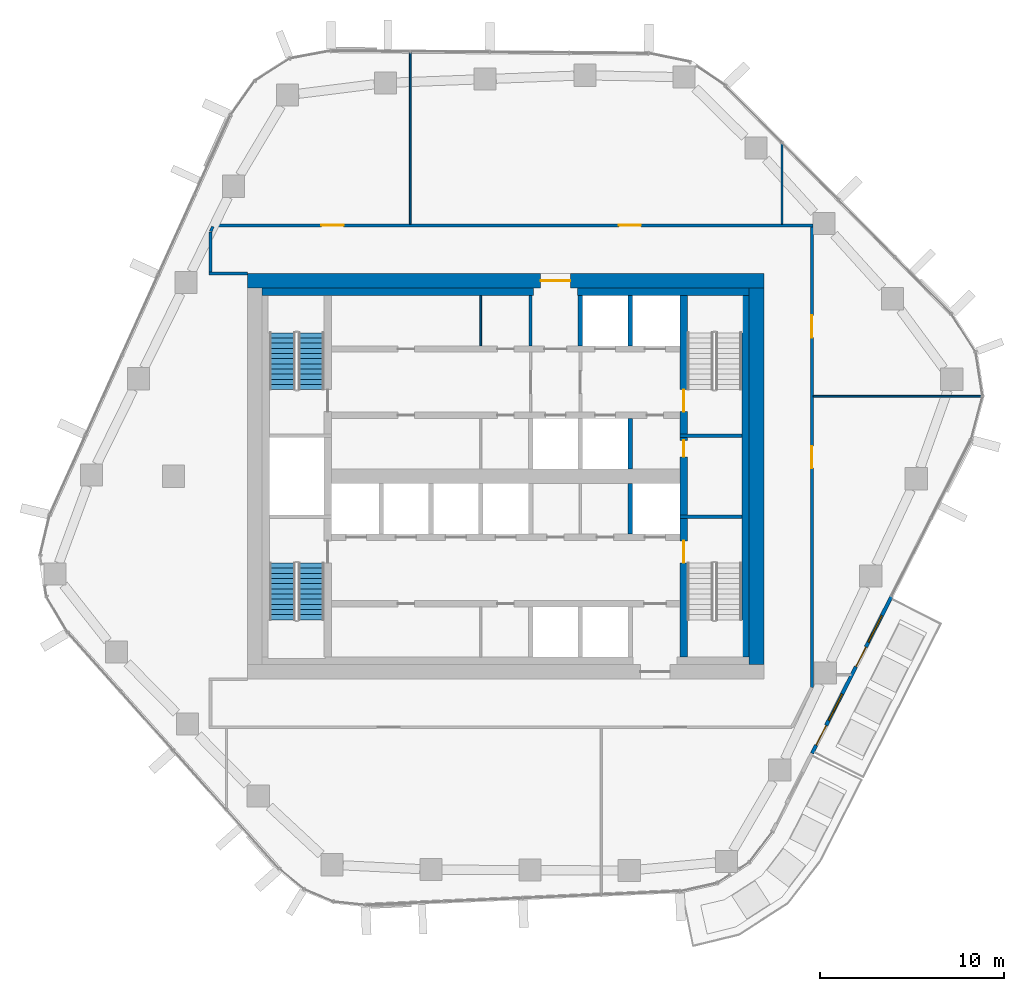
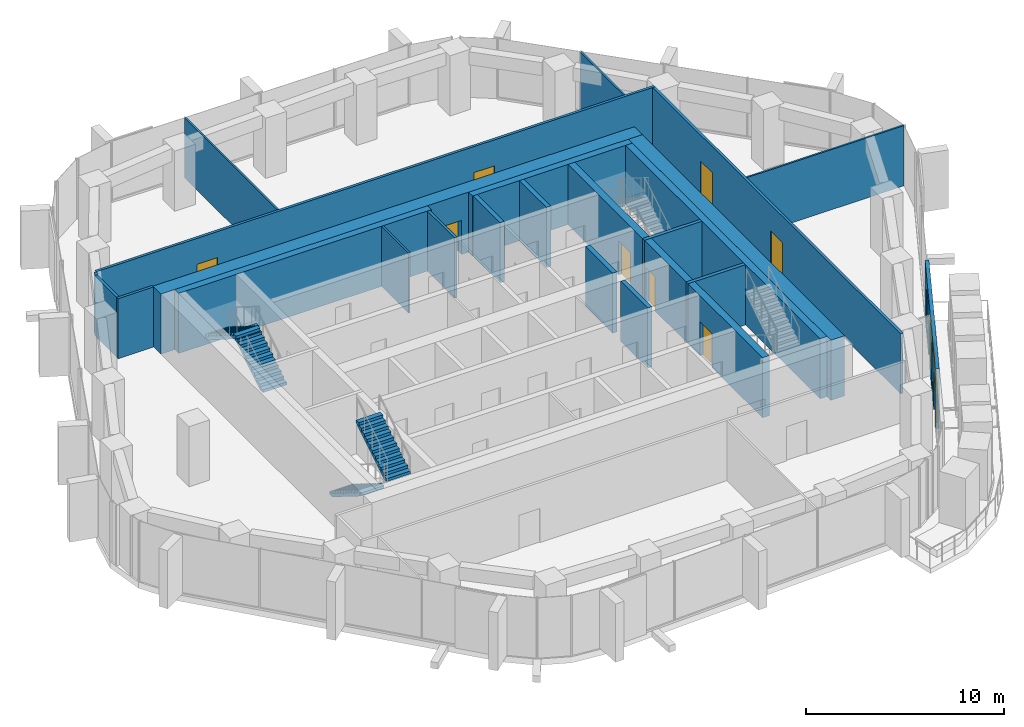
# One storey, part 12 of 17: 25 walls, 10 doors, 4 stair flights, 2 windows, 12 openings, 2 elements without a shape of their own.
"""IFC4 building model written with IfcOpenShell, lengths in metres."""

import ifcopenshell
import ifcopenshell.guid

model = None  # the IFC model being written
_history = None  # IfcOwnerHistory: only IFC2X3 demands one
_inside = {}  # id of a spatial element -> (the spatial element, [elements in it])
_under = {}  # id of a project, library or spatial element -> (it, [spatial elements below it])
_declared = {}  # id of a project -> (the project, [libraries it declares])
_typed = {}  # id of a type object -> (the type object, [elements of that type])
_made_of = {}  # id of a material, layer set ... -> (it, [elements and type objects made of it])


def new_model(schema):
    """Start an empty IFC model of exactly this schema.

    Asked for "IFC4X3", IfcOpenShell would pick the latest addendum, in which some entities
    have other attributes; the version numbers below select the first issue.
    IFC2X3 requires an IfcOwnerHistory on every rooted entity: one is made here for all.
    """
    global model, _history
    if schema == "IFC4X3":
        model = ifcopenshell.file(schema_version=(4, 3, 0, 0))
    else:
        model = ifcopenshell.file(schema=schema)
    _inside.clear()
    _under.clear()
    _declared.clear()
    _typed.clear()
    _made_of.clear()
    _history = None
    if model.schema == "IFC2X3":
        org = make("IfcOrganization", Name="unknown")
        user = make(
            "IfcPersonAndOrganization",
            ThePerson=make("IfcPerson", FamilyName="unknown"),
            TheOrganization=org,
        )
        app = make(
            "IfcApplication",
            ApplicationDeveloper=org,
            Version="unknown",
            ApplicationFullName="unknown",
            ApplicationIdentifier="unknown",
        )
        _history = make(
            "IfcOwnerHistory",
            OwningUser=user,
            OwningApplication=app,
            ChangeAction="ADDED",
            CreationDate=0,
        )
    return model


def make(cls, **values):
    """One entity of the class cls with the attributes given. An attribute that is None is left unset."""
    return model.create_entity(
        cls, **{name: value for name, value in values.items() if value is not None}
    )


def rooted(cls, **values):
    """An entity with a GlobalId (a new one), such as an element, a storey or a relation."""
    return make(cls, GlobalId=ifcopenshell.guid.new(), OwnerHistory=_history, **values)


def si_unit(unit_type, name, prefix=None):
    """IfcSIUnit, for example si_unit("LENGTHUNIT", "METRE", prefix="MILLI")."""
    return make("IfcSIUnit", UnitType=unit_type, Prefix=prefix, Name=name)


def assignment(units):
    """IfcUnitAssignment: the units of a project."""
    return None if units is None else make("IfcUnitAssignment", Units=units)


def point(xyz):
    """IfcCartesianPoint."""
    return None if xyz is None else make("IfcCartesianPoint", Coordinates=xyz)


def direction(xyz):
    """IfcDirection."""
    return None if xyz is None else make("IfcDirection", DirectionRatios=xyz)


def frame(location, z_axis=None, x_axis=None):
    """IfcAxis2Placement3D, a coordinate frame: its origin and axes. An axis left out is left unset."""
    return make(
        "IfcAxis2Placement3D",
        Location=point(location),
        Axis=direction(z_axis),
        RefDirection=direction(x_axis),
    )


def frame_2d(location, x_axis=None):
    """IfcAxis2Placement2D, a coordinate frame in the plane: its origin and x axis."""
    return make(
        "IfcAxis2Placement2D", Location=point(location), RefDirection=direction(x_axis)
    )


def origin():
    """The frame at (0, 0, 0) with its axes left unset."""
    return frame((0.0, 0.0, 0.0))


def place(relative_to, where):
    """IfcLocalPlacement: puts the frame where relative to a parent placement (None: the world)."""
    return make(
        "IfcLocalPlacement", PlacementRelTo=relative_to, RelativePlacement=where
    )


def context(
    kind, dimensions, precision=None, world=None, true_north=None, identifier=None
):
    """IfcGeometricRepresentationContext, for example the 3D "Model" context."""
    return make(
        "IfcGeometricRepresentationContext",
        ContextIdentifier=identifier,
        ContextType=kind,
        CoordinateSpaceDimension=dimensions,
        Precision=precision,
        WorldCoordinateSystem=world,
        TrueNorth=true_north,
    )


def subcontext(parent, identifier, kind, view, scale=None):
    """IfcGeometricRepresentationSubContext, for example "Body" below "Model"."""
    return make(
        "IfcGeometricRepresentationSubContext",
        ContextIdentifier=identifier,
        ContextType=kind,
        ParentContext=parent,
        TargetScale=scale,
        TargetView=view,
    )


def project(units=None, contexts=None):
    """IfcProject with its units and contexts."""
    return rooted(
        "IfcProject",
        Name="project",
        RepresentationContexts=contexts,
        UnitsInContext=assignment(units),
    )


def spatial(cls, under=None, at=None, **own):
    """A site, building, storey or space (cls), placed at a placement, below another one or the project."""
    s = rooted(cls, ObjectPlacement=at, **own)
    if under is not None:
        _under.setdefault(under.id(), (under, []))[1].append(s)
    return s


def polyline(points):
    """IfcPolyline through the points."""
    return make("IfcPolyline", Points=[point(p) for p in points])


def profile(cls, at=None, kind="AREA", **sizes):
    """A parametric profile (cls). Its sizes go by their IFC names, for example OverallWidth=200.0."""
    return make(cls, ProfileType=kind, Position=at, **sizes)


def rectangle(**sizes):
    """IfcRectangleProfileDef."""
    return profile("IfcRectangleProfileDef", **sizes)


def outline(outer, holes=None, kind="AREA"):
    """IfcArbitraryClosedProfileDef: a profile drawn as a closed curve; with holes, ...WithVoids."""
    if holes is None:
        return make("IfcArbitraryClosedProfileDef", ProfileType=kind, OuterCurve=outer)
    return make(
        "IfcArbitraryProfileDefWithVoids",
        ProfileType=kind,
        OuterCurve=outer,
        InnerCurves=holes,
    )


def extrude(swept, where, along, depth):
    """IfcExtrudedAreaSolid: the profile swept, set in the frame where, extruded along a direction by depth."""
    return make(
        "IfcExtrudedAreaSolid",
        SweptArea=swept,
        Position=where,
        ExtrudedDirection=direction(along),
        Depth=depth,
    )


def shape(context_of_items, identifier, shape_type, items):
    """IfcShapeRepresentation: the items that make up one representation, for example the "Body"."""
    return make(
        "IfcShapeRepresentation",
        ContextOfItems=context_of_items,
        RepresentationIdentifier=identifier,
        RepresentationType=shape_type,
        Items=items,
    )


def material(Name=None, Category=None):
    """IfcMaterial."""
    return make("IfcMaterial", Name=Name, Category=Category)


def layer(
    of_material, thickness, ventilated=None, Name=None, Category=None, Priority=None
):
    """IfcMaterialLayer: one layer of a wall or slab, of a material (None: an air gap)."""
    return make(
        "IfcMaterialLayer",
        Material=of_material,
        LayerThickness=thickness,
        IsVentilated=ventilated,
        Name=Name,
        Category=Category,
        Priority=Priority,
    )


def layer_set(layers, Name=None):
    """IfcMaterialLayerSet."""
    return make("IfcMaterialLayerSet", MaterialLayers=layers, LayerSetName=Name)


def made_of(thing, what):
    """Note that an element or type object is made of a material, layer set ...; save() writes the relation."""
    if what is not None:
        _made_of.setdefault(what.id(), (what, []))[1].append(thing)
    return thing


def type_object(cls, material=None, **own):
    """A type object (cls), such as IfcWallType, which elements share."""
    return made_of(rooted(cls, **own), material)


def element(
    cls,
    number,
    at=None,
    inside=None,
    cuts=None,
    type_object=None,
    material=None,
    context=None,
    identifier="Body",
    shape_type=None,
    held_by="IfcProductDefinitionShape",
    body=None,
    shapes=None,
    **own,
):
    """One element of the class cls, such as IfcWall. Its Tag is "e" and its number.

    at: its placement. inside: the storey or other place that contains it. cuts: it is an
    opening in that element (IfcRelVoidsElement). A single representation is given by context,
    identifier, shape_type and body (its items); several are given by shapes. held_by: the class
    of the entity that holds the representations. save() writes the other relations.
    """
    e = rooted(cls, Tag="e%d" % number, ObjectPlacement=at, **own)
    if body is not None:
        shapes = [shape(context, identifier, shape_type, body)]
    if shapes is not None:
        e.Representation = make(held_by, Representations=shapes)
    if inside is not None:
        _inside.setdefault(inside.id(), (inside, []))[1].append(e)
    if cuts is not None:
        rooted(
            "IfcRelVoidsElement", RelatingBuildingElement=cuts, RelatedOpeningElement=e
        )
    if type_object is not None:
        _typed.setdefault(type_object.id(), (type_object, []))[1].append(e)
    return made_of(e, material)


def fill(opening, filler):
    """IfcRelFillsElement: the door or window that sits in an opening."""
    return rooted(
        "IfcRelFillsElement",
        RelatingOpeningElement=opening,
        RelatedBuildingElement=filler,
    )


def aggregate(whole, parts):
    """IfcRelAggregates: a whole, such as a stair, and the parts it consists of."""
    return rooted("IfcRelAggregates", RelatingObject=whole, RelatedObjects=parts)


def save(model, path):
    """Write the relations noted so far, then the file.

    IfcRelAggregates (storeys below a building ...), IfcRelContainedInSpatialStructure (elements
    in a storey), IfcRelDefinesByType, IfcRelAssociatesMaterial and IfcRelDeclares: one each for
    every whole, place, type object, material and project.
    """
    for whole, parts in _under.values():
        aggregate(whole, parts)
    for where, things in _inside.values():
        rooted(
            "IfcRelContainedInSpatialStructure",
            RelatedElements=things,
            RelatingStructure=where,
        )
    for kind, things in _typed.values():
        rooted("IfcRelDefinesByType", RelatedObjects=things, RelatingType=kind)
    for what, things in _made_of.values():
        rooted("IfcRelAssociatesMaterial", RelatedObjects=things, RelatingMaterial=what)
    for by, libraries in _declared.values():
        rooted("IfcRelDeclares", RelatingContext=by, RelatedDefinitions=libraries)
    model.write(path)


model = new_model("IFC4")

# Units and contexts
model_context = context("Model", 3, precision=1e-05, world=origin(), true_north=direction((0.0, 1.0)))
body_context = subcontext(model_context, "Body", "Model", "MODEL_VIEW")
ifc_project = project(units=[si_unit("LENGTHUNIT", "METRE"), si_unit("AREAUNIT", "SQUARE_METRE"), si_unit("VOLUMEUNIT", "CUBIC_METRE"), si_unit("PLANEANGLEUNIT", "RADIAN"), si_unit("MASSUNIT", "GRAM", prefix="KILO")], contexts=[model_context])

# Site, building, storey
site_placement = place(None, origin())
site = spatial("IfcSite", under=ifc_project, at=site_placement, CompositionType="ELEMENT")
building_placement = place(site_placement, origin())
building = spatial("IfcBuilding", under=site, at=building_placement, Name="Dongbaek Canopy Tower", CompositionType="ELEMENT")
storey_placement = place(building_placement, frame((0.0, 0.0, 179.60009765625)))
storey = spatial("IfcBuildingStorey", under=building, at=storey_placement, Name="L39", CompositionType="ELEMENT", Elevation=179.60009765625)

# Wall, opening, door
ifc_material_1 = material(Name="Concrete C70/85", Category="concrete")
ifc_layer_1 = layer(ifc_material_1, 0.800048828125)
ifc_layer_set_1 = layer_set([ifc_layer_1], Name="Core outer wall 800 Concrete C70/85")
wall_type_1 = type_object("IfcWallType", Name="Core outer wall 800 Concrete C70/85", PredefinedType="SHEAR", material=ifc_layer_set_1)
wall_1_placement = place(storey_placement, frame((-14.0, 10.60009765625, 0.0), z_axis=(0.0, 0.0, 1.0), x_axis=(1.0, 0.0, 0.0)))
wall_1 = element("IfcWall", 1, at=wall_1_placement, inside=storey, type_object=wall_type_1, Name="Core wall", PredefinedType="SHEAR", context=body_context, shape_type="SweptSolid", body=[
    extrude(rectangle(XDim=28.0, YDim=0.800048828125, at=frame_2d((14.0, 0.0))), origin(), (0.0, 0.0, 1.0), 3.699951171875),
])
opening_1_placement = place(wall_1_placement, frame((15.89990234375, 0.0, 0.0)))
opening_1 = element("IfcOpeningElement", 2, at=opening_1_placement, cuts=wall_1, Name="Opening L39-D008", PredefinedType="OPENING", context=body_context, shape_type="SweptSolid", body=[
    extrude(rectangle(XDim=1.60009765625, YDim=2.10009765625, at=frame_2d((0.800048828125, 1.050048828125))), frame((0.0, 0.409912109375, 0.0), z_axis=(0.0, -1.0, 0.0), x_axis=(1.0, 0.0, 0.0)), (0.0, 0.0, 1.0), 0.820068359375),
])
ifc_material_2 = material(Name="Steel", Category="steel")
door_type_1 = type_object("IfcDoorType", Name="Core exit door 1600 x 2100", OperationType="DOUBLE_DOOR_SINGLE_SWING", PredefinedType="DOOR", material=ifc_material_2)
door_1_placement = place(opening_1_placement, origin())
door_1 = element("IfcDoor", 3, at=door_1_placement, inside=storey, type_object=door_type_1, Name="Core exit door", OperationType="DOUBLE_DOOR_SINGLE_SWING", OverallHeight=2.10009765625, OverallWidth=1.60009765625, PredefinedType="DOOR", context=body_context, shape_type="SweptSolid", body=[
    extrude(rectangle(XDim=1.60009765625, YDim=2.10009765625, at=frame_2d((0.800048828125, 1.050048828125))), frame((0.0, 0.02490234375, 0.0), z_axis=(0.0, -1.0, 0.0), x_axis=(1.0, 0.0, 0.0)), (0.0, 0.0, 1.0), 0.050048828125),
])
fill(opening_1, door_1)

# Walls
wall_2_placement = place(storey_placement, frame((13.60009765625, 10.199951171875, 0.0), z_axis=(0.0, 0.0, 1.0), x_axis=(0.0, -1.0, 0.0)))
element("IfcWall", 4, at=wall_2_placement, inside=storey, type_object=wall_type_1, Name="Core wall", PredefinedType="SHEAR", context=body_context, shape_type="SweptSolid", body=[
    extrude(rectangle(XDim=20.39990234375, YDim=0.800048828125, at=frame_2d((10.199951171875, 0.0))), origin(), (0.0, 0.0, 1.0), 3.699951171875),
])
ifc_material_3 = material(Name="Concrete C60/75", Category="concrete")
ifc_layer_2 = layer(ifc_material_3, 0.39990234375)
ifc_layer_set_2 = layer_set([ifc_layer_2], Name="Core wall lining 400 Concrete C60/75")
wall_type_2 = type_object("IfcWallType", Name="Core wall lining 400 Concrete C60/75", PredefinedType="SHEAR", material=ifc_layer_set_2)
wall_3_placement = place(storey_placement, frame((-13.199951171875, 10.0, 0.0), z_axis=(0.0, 0.0, 1.0), x_axis=(1.0, 0.0, 0.0)))
element("IfcWall", 5, at=wall_3_placement, inside=storey, type_object=wall_type_2, Name="Core wall lining", PredefinedType="SHEAR", context=body_context, shape_type="SweptSolid", body=[
    extrude(rectangle(XDim=14.699951171875, YDim=0.39990234375, at=frame_2d((7.35009765625, 0.0))), origin(), (0.0, 0.0, 1.0), 3.699951171875),
])
wall_4_placement = place(storey_placement, frame((3.89990234375, 10.0, 0.0), z_axis=(0.0, 0.0, 1.0), x_axis=(1.0, 0.0, 0.0)))
element("IfcWall", 6, at=wall_4_placement, inside=storey, type_object=wall_type_2, Name="Core wall lining", PredefinedType="SHEAR", context=body_context, shape_type="SweptSolid", body=[
    extrude(rectangle(XDim=9.300048828125, YDim=0.39990234375, at=frame_2d((4.64990234375, 0.0))), origin(), (0.0, 0.0, 1.0), 3.699951171875),
])
wall_5_placement = place(storey_placement, frame((13.0, 9.800048828125, 0.0), z_axis=(0.0, 0.0, 1.0), x_axis=(0.0, -1.0, 0.0)))
element("IfcWall", 7, at=wall_5_placement, inside=storey, type_object=wall_type_2, Name="Core wall lining", PredefinedType="SHEAR", context=body_context, shape_type="SweptSolid", body=[
    extrude(rectangle(XDim=19.60009765625, YDim=0.39990234375, at=frame_2d((9.800048828125, 0.0))), origin(), (0.0, 0.0, 1.0), 3.699951171875),
])
ifc_material_4 = material(Name="Gypsum board partition, steel stud, 2 x 15 mm fire board", Category="steel")
ifc_layer_3 = layer(ifc_material_4, 0.14990234375)
ifc_layer_set_3 = layer_set([ifc_layer_3], Name="Fire-rated partition 150 gypsum board")
wall_type_3 = type_object("IfcWallType", Name="Fire-rated partition 150 gypsum board", PredefinedType="PARTITIONING", material=ifc_layer_set_3)
wall_6_placement = place(storey_placement, frame((-16.074951171875, 10.9990234375, 0.0), z_axis=(0.0, 0.0, 1.0), x_axis=(1.0, 0.0, 0.0)))
element("IfcWall", 8, at=wall_6_placement, inside=storey, type_object=wall_type_3, Name="Corridor partition", PredefinedType="PARTITIONING", context=body_context, shape_type="SweptSolid", body=[
    extrude(rectangle(XDim=2.074951171875, YDim=0.14990234375, at=frame_2d((1.03759765625, 0.0))), origin(), (0.0, 0.0, 1.0), 3.699951171875),
])

# Wall, openings, doors
wall_7_placement = place(storey_placement, frame((-15.841552734375, 13.60009765625, 0.0), z_axis=(0.0, 0.0, 1.0), x_axis=(1.0, 0.0, 0.0)))
wall_7 = element("IfcWall", 9, at=wall_7_placement, inside=storey, type_object=wall_type_3, Name="Corridor partition", PredefinedType="PARTITIONING", context=body_context, shape_type="SweptSolid", body=[
    extrude(rectangle(XDim=32.50244140625, YDim=0.14990234375, at=frame_2d((16.251220703125, 0.0))), origin(), (0.0, 0.0, 1.0), 3.699951171875),
])
opening_2_placement = place(wall_7_placement, frame((21.974365234375, 0.0, 0.0)))
opening_2 = element("IfcOpeningElement", 10, at=opening_2_placement, cuts=wall_7, Name="Opening L39-D005", PredefinedType="OPENING", context=body_context, shape_type="SweptSolid", body=[
    extrude(rectangle(XDim=1.199951171875, YDim=2.10009765625, at=frame_2d((0.60009765625, 1.050048828125))), frame((0.0, 0.0849609375, 0.0), z_axis=(0.0, -1.0, 0.0), x_axis=(1.0, 0.0, 0.0)), (0.0, 0.0, 1.0), 0.169921875),
])
opening_3_placement = place(wall_7_placement, frame((5.853759765625, 0.0, 0.0)))
opening_3 = element("IfcOpeningElement", 11, at=opening_3_placement, cuts=wall_7, Name="Opening L39-D006", PredefinedType="OPENING", context=body_context, shape_type="SweptSolid", body=[
    extrude(rectangle(XDim=1.199951171875, YDim=2.10009765625, at=frame_2d((0.60009765625, 1.050048828125))), frame((0.0, 0.0849609375, 0.0), z_axis=(0.0, -1.0, 0.0), x_axis=(1.0, 0.0, 0.0)), (0.0, 0.0, 1.0), 0.169921875),
])
ifc_material_5 = material(Name="Timber veneered door leaf", Category="wood")
door_type_2 = type_object("IfcDoorType", Name="Room door 1200 x 2100", OperationType="SINGLE_SWING_LEFT", PredefinedType="DOOR", material=ifc_material_5)
door_2_placement = place(opening_2_placement, origin())
door_2 = element("IfcDoor", 12, at=door_2_placement, inside=storey, type_object=door_type_2, Name="Door L39-D005", OperationType="SINGLE_SWING_RIGHT", OverallHeight=2.10009765625, OverallWidth=1.199951171875, PredefinedType="DOOR", context=body_context, shape_type="SweptSolid", body=[
    extrude(rectangle(XDim=1.199951171875, YDim=2.10009765625, at=frame_2d((0.60009765625, 1.050048828125))), frame((0.0, 0.02490234375, 0.0), z_axis=(0.0, -1.0, 0.0), x_axis=(1.0, 0.0, 0.0)), (0.0, 0.0, 1.0), 0.050048828125),
])
fill(opening_2, door_2)
door_3_placement = place(opening_3_placement, origin())
door_3 = element("IfcDoor", 13, at=door_3_placement, inside=storey, type_object=door_type_2, Name="Door L39-D006", OperationType="SINGLE_SWING_LEFT", OverallHeight=2.10009765625, OverallWidth=1.199951171875, PredefinedType="DOOR", context=body_context, shape_type="SweptSolid", body=[
    extrude(rectangle(XDim=1.199951171875, YDim=2.10009765625, at=frame_2d((0.60009765625, 1.050048828125))), frame((0.0, 0.02490234375, 0.0), z_axis=(0.0, -1.0, 0.0), x_axis=(1.0, 0.0, 0.0)), (0.0, 0.0, 1.0), 0.050048828125),
])
fill(opening_3, door_3)

# Wall
wall_8_placement = place(storey_placement, frame((-15.98681640625, 13.279541015625, 0.0), z_axis=(0.0, 0.0, 1.0), x_axis=(0.411842245902, 0.911255158828, 0.0)))
element("IfcWall", 14, at=wall_8_placement, inside=storey, type_object=wall_type_3, Name="Corridor partition", PredefinedType="PARTITIONING", context=body_context, shape_type="SweptSolid", body=[
    extrude(rectangle(XDim=0.281494140625, YDim=0.14990234375, at=frame_2d((0.140625, 0.0))), origin(), (0.0, 0.0, 1.0), 3.699951171875),
])

# Wall, openings, doors
wall_9_placement = place(storey_placement, frame((16.60009765625, 13.52490234375, 0.0), z_axis=(0.0, 0.0, 1.0), x_axis=(0.0, -1.0, 0.0)))
wall_9 = element("IfcWall", 15, at=wall_9_placement, inside=storey, type_object=wall_type_3, Name="Corridor partition", PredefinedType="PARTITIONING", context=body_context, shape_type="SweptSolid", body=[
    extrude(rectangle(XDim=24.974609375, YDim=0.14990234375, at=frame_2d((12.4873046875, 0.0))), origin(), (0.0, 0.0, 1.0), 3.699951171875),
])
opening_4_placement = place(wall_9_placement, frame((11.88818359375, 0.0, 0.0)))
opening_4 = element("IfcOpeningElement", 16, at=opening_4_placement, cuts=wall_9, Name="Opening L39-D003", PredefinedType="OPENING", context=body_context, shape_type="SweptSolid", body=[
    extrude(rectangle(XDim=1.199951171875, YDim=2.10009765625, at=frame_2d((0.60009765625, 1.050048828125))), frame((0.0, 0.0849609375, 0.0), z_axis=(0.0, -1.0, 0.0), x_axis=(1.0, 0.0, 0.0)), (0.0, 0.0, 1.0), 0.169921875),
])
opening_5_placement = place(wall_9_placement, frame((4.80810546875, 0.0, 0.0)))
opening_5 = element("IfcOpeningElement", 17, at=opening_5_placement, cuts=wall_9, Name="Opening L39-D004", PredefinedType="OPENING", context=body_context, shape_type="SweptSolid", body=[
    extrude(rectangle(XDim=1.199951171875, YDim=2.10009765625, at=frame_2d((0.60009765625, 1.050048828125))), frame((0.0, 0.0849609375, 0.0), z_axis=(0.0, -1.0, 0.0), x_axis=(1.0, 0.0, 0.0)), (0.0, 0.0, 1.0), 0.169921875),
])
door_4_placement = place(opening_4_placement, origin())
door_4 = element("IfcDoor", 18, at=door_4_placement, inside=storey, type_object=door_type_2, Name="Door L39-D003", OperationType="SINGLE_SWING_RIGHT", OverallHeight=2.10009765625, OverallWidth=1.199951171875, PredefinedType="DOOR", context=body_context, shape_type="SweptSolid", body=[
    extrude(rectangle(XDim=1.199951171875, YDim=2.10009765625, at=frame_2d((0.60009765625, 1.050048828125))), frame((0.0, 0.02490234375, 0.0), z_axis=(0.0, -1.0, 0.0), x_axis=(1.0, 0.0, 0.0)), (0.0, 0.0, 1.0), 0.050048828125),
])
fill(opening_4, door_4)
door_5_placement = place(opening_5_placement, origin())
door_5 = element("IfcDoor", 19, at=door_5_placement, inside=storey, type_object=door_type_2, Name="Door L39-D004", OperationType="SINGLE_SWING_LEFT", OverallHeight=2.10009765625, OverallWidth=1.199951171875, PredefinedType="DOOR", context=body_context, shape_type="SweptSolid", body=[
    extrude(rectangle(XDim=1.199951171875, YDim=2.10009765625, at=frame_2d((0.60009765625, 1.050048828125))), frame((0.0, 0.02490234375, 0.0), z_axis=(0.0, -1.0, 0.0), x_axis=(1.0, 0.0, 0.0)), (0.0, 0.0, 1.0), 0.050048828125),
])
fill(opening_5, door_5)

# Walls
wall_10_placement = place(storey_placement, frame((-16.0, 11.073974609375, 0.0), z_axis=(0.0, 0.0, 1.0), x_axis=(0.0, 1.0, 0.0)))
element("IfcWall", 20, at=wall_10_placement, inside=storey, type_object=wall_type_3, Name="Corridor partition", PredefinedType="PARTITIONING", context=body_context, shape_type="SweptSolid", body=[
    extrude(rectangle(XDim=2.175537109375, YDim=0.14990234375, at=frame_2d((1.087890625, 0.0))), origin(), (0.0, 0.0, 1.0), 3.699951171875),
])
wall_11_placement = place(storey_placement, frame((1.35009765625, 7.074951171875, 0.0), z_axis=(0.0, 0.0, 1.0), x_axis=(0.0, 1.0, 0.0)))
element("IfcWall", 21, at=wall_11_placement, inside=storey, type_object=wall_type_3, Name="Fire lobby partition", PredefinedType="PARTITIONING", context=body_context, shape_type="SweptSolid", body=[
    extrude(rectangle(XDim=2.72509765625, YDim=0.14990234375, at=frame_2d((1.362548828125, 0.0))), origin(), (0.0, 0.0, 1.0), 3.699951171875),
])
ifc_material_6 = material(Name="Concrete C40/50", Category="concrete")
ifc_layer_4 = layer(ifc_material_6, 0.25)
ifc_layer_set_4 = layer_set([ifc_layer_4], Name="Lift shaft wall 250 Concrete C40/50")
wall_type_4 = type_object("IfcWallType", Name="Lift shaft wall 250 Concrete C40/50", PredefinedType="SOLIDWALL", material=ifc_layer_set_4)
for number, where, z_axis, x_axis, name in (
    (22, (6.75, -3.125, 0.0), (0.0, 0.0, 1.0), (0.0, 1.0, 0.0), "Lift shaft wall"),
    (23, (6.75, 0.39990234375, 0.0), (0.0, 0.0, 1.0), (0.0, 1.0, 0.0), "Lift shaft wall"),
    (24, (6.75, 7.074951171875, 0.0), (0.0, 0.0, 1.0), (0.0, 1.0, 0.0), "Lift shaft wall"),
    (25, (4.050048828125, 7.074951171875, 0.0), (0.0, 0.0, 1.0), (0.0, 1.0, 0.0), "Lift shaft wall"),
):
    element("IfcWall", number, at=place(storey_placement, frame(where, z_axis=z_axis, x_axis=x_axis)), inside=storey, type_object=wall_type_4, Name=name, PredefinedType="SOLIDWALL", context=body_context, shape_type="SweptSolid", body=[
        extrude(rectangle(XDim=2.72509765625, YDim=0.25, at=frame_2d((1.362548828125, 0.0))), origin(), (0.0, 0.0, 1.0), 3.699951171875),
    ])
ifc_material_7 = material(Name="Gypsum board partition, steel stud, 2 x 12.5 mm board", Category="steel")
ifc_layer_5 = layer(ifc_material_7, 0.10009765625)
ifc_layer_set_5 = layer_set([ifc_layer_5], Name="Partition 100 gypsum board")
wall_type_5 = type_object("IfcWallType", Name="Partition 100 gypsum board", PredefinedType="PARTITIONING", material=ifc_layer_set_5)
wall_12_placement = place(storey_placement, frame((16.675048828125, 4.340087890625, 0.0), z_axis=(0.0, 0.0, 1.0), x_axis=(1.0, 0.0, 0.0)))
element("IfcWall", 26, at=wall_12_placement, inside=storey, type_object=wall_type_5, Name="Partition", PredefinedType="PARTITIONING", context=body_context, shape_type="SweptSolid", body=[
    extrude(rectangle(XDim=9.154296875, YDim=0.10009765625, at=frame_2d((4.5771484375, 0.0))), origin(), (0.0, 0.0, 1.0), 3.699951171875),
])
wall_13_placement = place(storey_placement, frame((14.97509765625, 13.675048828125, 0.0), z_axis=(0.0, 0.0, 1.0), x_axis=(0.0, 1.0, 0.0)))
element("IfcWall", 27, at=wall_13_placement, inside=storey, type_object=wall_type_5, Name="Partition", PredefinedType="PARTITIONING", context=body_context, shape_type="SweptSolid", body=[
    extrude(rectangle(XDim=4.378662109375, YDim=0.10009765625, at=frame_2d((2.189453125, 0.0))), origin(), (0.0, 0.0, 1.0), 3.699951171875),
])
wall_14_placement = place(storey_placement, frame((-5.173095703125, 13.675048828125, 0.0), z_axis=(0.0, 0.0, 1.0), x_axis=(0.0, 1.0, 0.0)))
element("IfcWall", 28, at=wall_14_placement, inside=storey, type_object=wall_type_5, Name="Partition", PredefinedType="PARTITIONING", context=body_context, shape_type="SweptSolid", body=[
    extrude(rectangle(XDim=9.33349609375, YDim=0.10009765625, at=frame_2d((4.666748046875, 0.0))), origin(), (0.0, 0.0, 1.0), 3.699951171875),
])
wall_15_placement = place(storey_placement, frame((-1.35009765625, 7.074951171875, 0.0), z_axis=(0.0, 0.0, 1.0), x_axis=(0.0, 1.0, 0.0)))
element("IfcWall", 29, at=wall_15_placement, inside=storey, type_object=wall_type_5, Name="Core partition", PredefinedType="PARTITIONING", context=body_context, shape_type="SweptSolid", body=[
    extrude(rectangle(XDim=2.72509765625, YDim=0.10009765625, at=frame_2d((1.362548828125, 0.0))), origin(), (0.0, 0.0, 1.0), 3.699951171875),
])
ifc_material_8 = material(Name="Concrete C60/75", Category="concrete")
ifc_layer_6 = layer(ifc_material_8, 0.199951171875)
ifc_layer_set_6 = layer_set([ifc_layer_6], Name="Riser wall 200 Concrete C60/75")
wall_type_6 = type_object("IfcWallType", Name="Riser wall 200 Concrete C60/75", PredefinedType="SHEAR", material=ifc_layer_set_6)
for number, where, z_axis, x_axis, name in (
    (30, (9.449951171875, 2.199951171875, 0.0), (0.0, 0.0, 1.0), (1.0, 0.0, 0.0), "Riser wall"),
    (31, (9.449951171875, -2.199951171875, 0.0), (0.0, 0.0, 1.0), (1.0, 0.0, 0.0), "Riser wall"),
):
    element("IfcWall", number, at=place(storey_placement, frame(where, z_axis=z_axis, x_axis=x_axis)), inside=storey, type_object=wall_type_6, Name=name, PredefinedType="SHEAR", context=body_context, shape_type="SweptSolid", body=[
        extrude(rectangle(XDim=3.35009765625, YDim=0.199951171875, at=frame_2d((1.675048828125, 0.0))), origin(), (0.0, 0.0, 1.0), 3.699951171875),
    ])

# Wall, opening, door
ifc_material_9 = material(Name="Concrete C60/75", Category="concrete")
ifc_layer_7 = layer(ifc_material_9, 0.39990234375)
ifc_layer_set_7 = layer_set([ifc_layer_7], Name="Stair wall 400 Concrete C60/75")
wall_type_7 = type_object("IfcWallType", Name="Stair wall 400 Concrete C60/75", PredefinedType="SHEAR", material=ifc_layer_set_7)
wall_16_placement = place(storey_placement, frame((9.64990234375, -2.300048828125, 0.0), z_axis=(0.0, 0.0, 1.0), x_axis=(0.0, -1.0, 0.0)))
wall_16 = element("IfcWall", 32, at=wall_16_placement, inside=storey, type_object=wall_type_7, Name="Stair wall", PredefinedType="SHEAR", context=body_context, shape_type="SweptSolid", body=[
    extrude(rectangle(XDim=7.5, YDim=0.39990234375, at=frame_2d((3.75, 0.0))), origin(), (0.0, 0.0, 1.0), 3.699951171875),
])
opening_6_placement = place(wall_16_placement, frame((1.199951171875, 0.0, 0.0)))
opening_6 = element("IfcOpeningElement", 33, at=opening_6_placement, cuts=wall_16, Name="Opening L39-D032", PredefinedType="OPENING", context=body_context, shape_type="SweptSolid", body=[
    extrude(rectangle(XDim=1.199951171875, YDim=2.10009765625, at=frame_2d((0.60009765625, 1.050048828125))), frame((0.0, 0.2099609375, 0.0), z_axis=(0.0, -1.0, 0.0), x_axis=(1.0, 0.0, 0.0)), (0.0, 0.0, 1.0), 0.419921875),
])
ifc_material_10 = material(Name="Steel", Category="steel")
door_type_3 = type_object("IfcDoorType", Name="Stair door 1200 x 2100", OperationType="SINGLE_SWING_LEFT", PredefinedType="DOOR", material=ifc_material_10)
door_6_placement = place(opening_6_placement, origin())
door_6 = element("IfcDoor", 34, at=door_6_placement, inside=storey, type_object=door_type_3, Name="Stair B door", OperationType="SINGLE_SWING_RIGHT", OverallHeight=2.10009765625, OverallWidth=1.199951171875, PredefinedType="DOOR", context=body_context, shape_type="SweptSolid", body=[
    extrude(rectangle(XDim=1.199951171875, YDim=2.10009765625, at=frame_2d((0.60009765625, 1.050048828125))), frame((0.0, 0.02490234375, 0.0), z_axis=(0.0, -1.0, 0.0), x_axis=(1.0, 0.0, 0.0)), (0.0, 0.0, 1.0), 0.050048828125),
])
fill(opening_6, door_6)

wall_17_placement = place(storey_placement, frame((9.64990234375, 2.10009765625, 0.0), z_axis=(0.0, 0.0, 1.0), x_axis=(0.0, -1.0, 0.0)))
wall_17 = element("IfcWall", 35, at=wall_17_placement, inside=storey, type_object=wall_type_7, Name="Stair wall", PredefinedType="SHEAR", context=body_context, shape_type="SweptSolid", body=[
    extrude(rectangle(XDim=4.2001953125, YDim=0.39990234375, at=frame_2d((2.10009765625, 0.0))), origin(), (0.0, 0.0, 1.0), 3.699951171875),
])
opening_7_placement = place(wall_17_placement, frame((0.14990234375, 0.0, 0.0)))
opening_7 = element("IfcOpeningElement", 36, at=opening_7_placement, cuts=wall_17, Name="Opening L39-D007", PredefinedType="OPENING", context=body_context, shape_type="SweptSolid", body=[
    extrude(rectangle(XDim=0.89990234375, YDim=2.10009765625, at=frame_2d((0.449951171875, 1.050048828125))), frame((0.0, 0.2099609375, 0.0), z_axis=(0.0, -1.0, 0.0), x_axis=(1.0, 0.0, 0.0)), (0.0, 0.0, 1.0), 0.419921875),
])
ifc_material_11 = material(Name="Steel", Category="steel")
door_type_4 = type_object("IfcDoorType", Name="Core room door 900 x 2100", OperationType="SINGLE_SWING_LEFT", PredefinedType="DOOR", material=ifc_material_11)
door_7_placement = place(opening_7_placement, origin())
door_7 = element("IfcDoor", 37, at=door_7_placement, inside=storey, type_object=door_type_4, Name="Door L39-D007", OperationType="SINGLE_SWING_RIGHT", OverallHeight=2.10009765625, OverallWidth=0.89990234375, PredefinedType="DOOR", context=body_context, shape_type="SweptSolid", body=[
    extrude(rectangle(XDim=0.89990234375, YDim=2.10009765625, at=frame_2d((0.449951171875, 1.050048828125))), frame((0.0, 0.02490234375, 0.0), z_axis=(0.0, -1.0, 0.0), x_axis=(1.0, 0.0, 0.0)), (0.0, 0.0, 1.0), 0.050048828125),
])
fill(opening_7, door_7)

wall_18_placement = place(storey_placement, frame((9.64990234375, 9.800048828125, 0.0), z_axis=(0.0, 0.0, 1.0), x_axis=(0.0, -1.0, 0.0)))
wall_18 = element("IfcWall", 38, at=wall_18_placement, inside=storey, type_object=wall_type_7, Name="Stair wall", PredefinedType="SHEAR", context=body_context, shape_type="SweptSolid", body=[
    extrude(rectangle(XDim=7.5, YDim=0.39990234375, at=frame_2d((3.75, 0.0))), origin(), (0.0, 0.0, 1.0), 3.699951171875),
])
opening_8_placement = place(wall_18_placement, frame((5.10009765625, 0.0, 0.0)))
opening_8 = element("IfcOpeningElement", 39, at=opening_8_placement, cuts=wall_18, Name="Opening L39-D030", PredefinedType="OPENING", context=body_context, shape_type="SweptSolid", body=[
    extrude(rectangle(XDim=1.199951171875, YDim=2.10009765625, at=frame_2d((0.60009765625, 1.050048828125))), frame((0.0, 0.2099609375, 0.0), z_axis=(0.0, -1.0, 0.0), x_axis=(1.0, 0.0, 0.0)), (0.0, 0.0, 1.0), 0.419921875),
])
door_8_placement = place(opening_8_placement, origin())
door_8 = element("IfcDoor", 40, at=door_8_placement, inside=storey, type_object=door_type_3, Name="Stair A door", OperationType="SINGLE_SWING_LEFT", OverallHeight=2.10009765625, OverallWidth=1.199951171875, PredefinedType="DOOR", context=body_context, shape_type="SweptSolid", body=[
    extrude(rectangle(XDim=1.199951171875, YDim=2.10009765625, at=frame_2d((0.60009765625, 1.050048828125))), frame((0.0, 0.02490234375, 0.0), z_axis=(0.0, -1.0, 0.0), x_axis=(1.0, 0.0, 0.0)), (0.0, 0.0, 1.0), 0.050048828125),
])
fill(opening_8, door_8)

# Wall, openings, doors, windows
ifc_material_12 = material(Name="Aluminium window wall", Category="aluminium")
ifc_layer_8 = layer(ifc_material_12, 0.199951171875)
ifc_layer_set_8 = layer_set([ifc_layer_8], Name="Window wall 200")
wall_type_8 = type_object("IfcWallType", Name="Window wall 200", PredefinedType="SOLIDWALL", material=ifc_layer_set_8)
wall_19_placement = place(storey_placement, frame((16.60791015625, -15.01806640625, 0.0), z_axis=(0.0, 0.0, 1.0), x_axis=(0.452002844598, 0.89201649563, 0.0)))
wall_19 = element("IfcWall", 41, at=wall_19_placement, inside=storey, type_object=wall_type_8, Name="Window wall L39 1", PredefinedType="SOLIDWALL", context=body_context, shape_type="SweptSolid", body=[
    extrude(rectangle(XDim=9.530029296875, YDim=0.199951171875, at=frame_2d((4.76513671875, 0.0))), origin(), (0.0, 0.0, 1.0), 3.699951171875),
])
opening_9_placement = place(wall_19_placement, frame((2.0, 0.0, 0.60009765625)))
opening_9 = element("IfcOpeningElement", 42, at=opening_9_placement, cuts=wall_19, Name="Opening W1", PredefinedType="OPENING", context=body_context, shape_type="SweptSolid", body=[
    extrude(rectangle(XDim=1.60009765625, YDim=2.39990234375, at=frame_2d((0.800048828125, 1.199951171875))), frame((0.0, 0.10986328125, 0.0), z_axis=(0.0, -1.0, 0.0), x_axis=(1.0, 0.0, 0.0)), (0.0, 0.0, 1.0), 0.219970703125),
])
opening_10_placement = place(wall_19_placement, frame((0.5, 0.0, 0.0)))
opening_10 = element("IfcOpeningElement", 43, at=opening_10_placement, cuts=wall_19, Name="Opening L39-B01", PredefinedType="OPENING", context=body_context, shape_type="SweptSolid", body=[
    extrude(rectangle(XDim=1.199951171875, YDim=2.39990234375, at=frame_2d((0.60009765625, 1.199951171875))), frame((0.0, 0.10986328125, 0.0), z_axis=(0.0, -1.0, 0.0), x_axis=(1.0, 0.0, 0.0)), (0.0, 0.0, 1.0), 0.219970703125),
])
opening_11_placement = place(wall_19_placement, frame((6.76513671875, 0.0, 0.60009765625)))
opening_11 = element("IfcOpeningElement", 44, at=opening_11_placement, cuts=wall_19, Name="Opening W1", PredefinedType="OPENING", context=body_context, shape_type="SweptSolid", body=[
    extrude(rectangle(XDim=1.60009765625, YDim=2.39990234375, at=frame_2d((0.800048828125, 1.199951171875))), frame((0.0, 0.10986328125, 0.0), z_axis=(0.0, -1.0, 0.0), x_axis=(1.0, 0.0, 0.0)), (0.0, 0.0, 1.0), 0.219970703125),
])
opening_12_placement = place(wall_19_placement, frame((5.26513671875, 0.0, 0.0)))
opening_12 = element("IfcOpeningElement", 45, at=opening_12_placement, cuts=wall_19, Name="Opening L39-B02", PredefinedType="OPENING", context=body_context, shape_type="SweptSolid", body=[
    extrude(rectangle(XDim=1.199951171875, YDim=2.39990234375, at=frame_2d((0.60009765625, 1.199951171875))), frame((0.0, 0.10986328125, 0.0), z_axis=(0.0, -1.0, 0.0), x_axis=(1.0, 0.0, 0.0)), (0.0, 0.0, 1.0), 0.219970703125),
])
ifc_material_13 = material(Name="Clear glazing in aluminium frame", Category="aluminium")
door_type_5 = type_object("IfcDoorType", Name="Balcony door BD1 1200 x 2400", OperationType="SLIDING_TO_LEFT", PredefinedType="DOOR", material=ifc_material_13)
door_9_placement = place(opening_10_placement, origin())
door_9 = element("IfcDoor", 46, at=door_9_placement, inside=storey, type_object=door_type_5, Name="Balcony door L39-B01", OperationType="SLIDING_TO_LEFT", OverallHeight=2.39990234375, OverallWidth=1.199951171875, PredefinedType="DOOR", context=body_context, shape_type="SweptSolid", body=[
    extrude(rectangle(XDim=1.199951171875, YDim=2.39990234375, at=frame_2d((0.60009765625, 1.199951171875))), frame((0.0, 0.02490234375, 0.0), z_axis=(0.0, -1.0, 0.0), x_axis=(1.0, 0.0, 0.0)), (0.0, 0.0, 1.0), 0.050048828125),
])
fill(opening_10, door_9)
door_10_placement = place(opening_12_placement, origin())
door_10 = element("IfcDoor", 47, at=door_10_placement, inside=storey, type_object=door_type_5, Name="Balcony door L39-B02", OperationType="SLIDING_TO_LEFT", OverallHeight=2.39990234375, OverallWidth=1.199951171875, PredefinedType="DOOR", context=body_context, shape_type="SweptSolid", body=[
    extrude(rectangle(XDim=1.199951171875, YDim=2.39990234375, at=frame_2d((0.60009765625, 1.199951171875))), frame((0.0, 0.02490234375, 0.0), z_axis=(0.0, -1.0, 0.0), x_axis=(1.0, 0.0, 0.0)), (0.0, 0.0, 1.0), 0.050048828125),
])
fill(opening_12, door_10)
ifc_material_14 = material(Name="Clear glazing in aluminium frame", Category="aluminium")
window_type = type_object("IfcWindowType", Name="Window W1 1600 x 2400", PartitioningType="SINGLE_PANEL", PredefinedType="WINDOW", material=ifc_material_14)
window_1_placement = place(opening_9_placement, origin())
window_1 = element("IfcWindow", 48, at=window_1_placement, inside=storey, type_object=window_type, Name="Window L39 1.1", OverallHeight=2.39990234375, OverallWidth=1.60009765625, PartitioningType="SINGLE_PANEL", PredefinedType="WINDOW", context=body_context, shape_type="SweptSolid", body=[
    extrude(rectangle(XDim=1.60009765625, YDim=2.39990234375, at=frame_2d((0.800048828125, 1.199951171875))), frame((0.0, 0.030029296875, 0.0), z_axis=(0.0, -1.0, 0.0), x_axis=(1.0, 0.0, 0.0)), (0.0, 0.0, 1.0), 0.06005859375),
])
fill(opening_9, window_1)
window_2_placement = place(opening_11_placement, origin())
window_2 = element("IfcWindow", 49, at=window_2_placement, inside=storey, type_object=window_type, Name="Window L39 1.2", OverallHeight=2.39990234375, OverallWidth=1.60009765625, PartitioningType="SINGLE_PANEL", PredefinedType="WINDOW", context=body_context, shape_type="SweptSolid", body=[
    extrude(rectangle(XDim=1.60009765625, YDim=2.39990234375, at=frame_2d((0.800048828125, 1.199951171875))), frame((0.0, 0.030029296875, 0.0), z_axis=(0.0, -1.0, 0.0), x_axis=(1.0, 0.0, 0.0)), (0.0, 0.0, 1.0), 0.06005859375),
])
fill(opening_11, window_2)

# Stair, stair flights
ifc_material_15 = material(Name="Concrete C40/50", Category="concrete")
stair_type = type_object("IfcStairType", Name="Core exit stair", PredefinedType="HALF_TURN_STAIR", material=ifc_material_15)
stair_1_placement = place(storey_placement, origin())
stair_1 = element("IfcStair", 50, at=stair_1_placement, inside=storey, type_object=stair_type, Name="L39 exit stair C", PredefinedType="HALF_TURN_STAIR")
ifc_material_16 = material(Name="Concrete C40/50", Category="concrete")
ifc_layer_9 = layer(ifc_material_16, 0.14990234375)
ifc_layer_set_9 = layer_set([ifc_layer_9], Name="Core stair flight 150 waist")
stair_flight_type = type_object("IfcStairFlightType", Name="Core stair flight 150 waist", PredefinedType="STRAIGHT", material=ifc_layer_set_9)
stair_flight_1_placement = place(storey_placement, frame((-10.550048828125, 4.699951171875, 0.0), z_axis=(0.0, 0.0, 1.0), x_axis=(0.0, 1.0, 0.0)))
stair_flight_1 = element("IfcStairFlight", 51, at=stair_flight_1_placement, type_object=stair_flight_type, Name="ST-C flight 1", NumberOfRisers=12, NumberOfTreads=11, PredefinedType="STRAIGHT", RiserHeight=0.175, TreadLength=0.28, context=body_context, shape_type="SweptSolid", body=[
    extrude(outline(polyline([(0.0, 0.0), (0.0, 0.175048828125), (0.280029296875, 0.175048828125), (0.280029296875, 0.35009765625), (0.56005859375, 0.35009765625), (0.56005859375, 0.52490234375), (0.840087890625, 0.52490234375), (0.840087890625, 0.699951171875), (1.1201171875, 0.699951171875), (1.1201171875, 0.875), (1.39990234375, 0.875), (1.39990234375, 1.050048828125), (1.679931640625, 1.050048828125), (1.679931640625, 1.22509765625), (1.9599609375, 1.22509765625), (1.9599609375, 1.39990234375), (2.239990234375, 1.39990234375), (2.239990234375, 1.574951171875), (2.52001953125, 1.574951171875), (2.52001953125, 1.75), (2.800048828125, 1.75), (2.800048828125, 1.925048828125), (3.080078125, 1.925048828125), (3.080078125, 2.10009765625), (3.080078125, 1.748291015625), (0.28271484375, 0.0), (0.0, 0.0)])), frame((0.0, 0.699951171875, 0.0), z_axis=(0.0, -1.0, 0.0), x_axis=(1.0, 0.0, 0.0)), (0.0, 0.0, 1.0), 1.39990234375),
])
stair_flight_2_placement = place(storey_placement, frame((-12.10009765625, 7.780029296875, 2.099853515625), z_axis=(0.0, 0.0, 1.0), x_axis=(0.0, -1.0, 0.0)))
stair_flight_2 = element("IfcStairFlight", 52, at=stair_flight_2_placement, type_object=stair_flight_type, Name="ST-C flight 2", NumberOfRisers=12, NumberOfTreads=11, PredefinedType="STRAIGHT", RiserHeight=0.175, TreadLength=0.28, context=body_context, shape_type="SweptSolid", body=[
    extrude(outline(polyline([(0.0, 0.0), (0.0, 0.175048828125), (0.280029296875, 0.175048828125), (0.280029296875, 0.35009765625), (0.56005859375, 0.35009765625), (0.56005859375, 0.52490234375), (0.840087890625, 0.52490234375), (0.840087890625, 0.699951171875), (1.1201171875, 0.699951171875), (1.1201171875, 0.875), (1.39990234375, 0.875), (1.39990234375, 1.050048828125), (1.679931640625, 1.050048828125), (1.679931640625, 1.22509765625), (1.9599609375, 1.22509765625), (1.9599609375, 1.39990234375), (2.239990234375, 1.39990234375), (2.239990234375, 1.574951171875), (2.52001953125, 1.574951171875), (2.52001953125, 1.75), (2.800048828125, 1.75), (2.800048828125, 1.925048828125), (3.080078125, 1.925048828125), (3.080078125, 2.10009765625), (3.080078125, 1.748291015625), (0.28271484375, 0.0), (0.0, 0.0)])), frame((0.0, 0.699951171875, 0.0), z_axis=(0.0, -1.0, 0.0), x_axis=(1.0, 0.0, 0.0)), (0.0, 0.0, 1.0), 1.39990234375),
])
aggregate(stair_1, [stair_flight_1, stair_flight_2])

stair_2_placement = place(storey_placement, origin())
stair_2 = element("IfcStair", 53, at=stair_2_placement, inside=storey, type_object=stair_type, Name="L39 exit stair D", PredefinedType="HALF_TURN_STAIR")
stair_flight_3_placement = place(storey_placement, frame((-12.10009765625, -4.699951171875, 0.0), z_axis=(0.0, 0.0, 1.0), x_axis=(0.0, -1.0, 0.0)))
stair_flight_3 = element("IfcStairFlight", 54, at=stair_flight_3_placement, type_object=stair_flight_type, Name="ST-D flight 1", NumberOfRisers=12, NumberOfTreads=11, PredefinedType="STRAIGHT", RiserHeight=0.175, TreadLength=0.28, context=body_context, shape_type="SweptSolid", body=[
    extrude(outline(polyline([(0.0, 0.0), (0.0, 0.175048828125), (0.280029296875, 0.175048828125), (0.280029296875, 0.35009765625), (0.56005859375, 0.35009765625), (0.56005859375, 0.52490234375), (0.840087890625, 0.52490234375), (0.840087890625, 0.699951171875), (1.1201171875, 0.699951171875), (1.1201171875, 0.875), (1.39990234375, 0.875), (1.39990234375, 1.050048828125), (1.679931640625, 1.050048828125), (1.679931640625, 1.22509765625), (1.9599609375, 1.22509765625), (1.9599609375, 1.39990234375), (2.239990234375, 1.39990234375), (2.239990234375, 1.574951171875), (2.52001953125, 1.574951171875), (2.52001953125, 1.75), (2.800048828125, 1.75), (2.800048828125, 1.925048828125), (3.080078125, 1.925048828125), (3.080078125, 2.10009765625), (3.080078125, 1.748291015625), (0.28271484375, 0.0), (0.0, 0.0)])), frame((0.0, 0.699951171875, 0.0), z_axis=(0.0, -1.0, 0.0), x_axis=(1.0, 0.0, 0.0)), (0.0, 0.0, 1.0), 1.39990234375),
])
stair_flight_4_placement = place(storey_placement, frame((-10.550048828125, -7.780029296875, 2.099853515625), z_axis=(0.0, 0.0, 1.0), x_axis=(0.0, 1.0, 0.0)))
stair_flight_4 = element("IfcStairFlight", 55, at=stair_flight_4_placement, type_object=stair_flight_type, Name="ST-D flight 2", NumberOfRisers=12, NumberOfTreads=11, PredefinedType="STRAIGHT", RiserHeight=0.175, TreadLength=0.28, context=body_context, shape_type="SweptSolid", body=[
    extrude(outline(polyline([(0.0, 0.0), (0.0, 0.175048828125), (0.280029296875, 0.175048828125), (0.280029296875, 0.35009765625), (0.56005859375, 0.35009765625), (0.56005859375, 0.52490234375), (0.840087890625, 0.52490234375), (0.840087890625, 0.699951171875), (1.1201171875, 0.699951171875), (1.1201171875, 0.875), (1.39990234375, 0.875), (1.39990234375, 1.050048828125), (1.679931640625, 1.050048828125), (1.679931640625, 1.22509765625), (1.9599609375, 1.22509765625), (1.9599609375, 1.39990234375), (2.239990234375, 1.39990234375), (2.239990234375, 1.574951171875), (2.52001953125, 1.574951171875), (2.52001953125, 1.75), (2.800048828125, 1.75), (2.800048828125, 1.925048828125), (3.080078125, 1.925048828125), (3.080078125, 2.10009765625), (3.080078125, 1.748291015625), (0.28271484375, 0.0), (0.0, 0.0)])), frame((0.0, 0.699951171875, 0.0), z_axis=(0.0, -1.0, 0.0), x_axis=(1.0, 0.0, 0.0)), (0.0, 0.0, 1.0), 1.39990234375),
])
aggregate(stair_2, [stair_flight_3, stair_flight_4])

save(model, "model.ifc")
